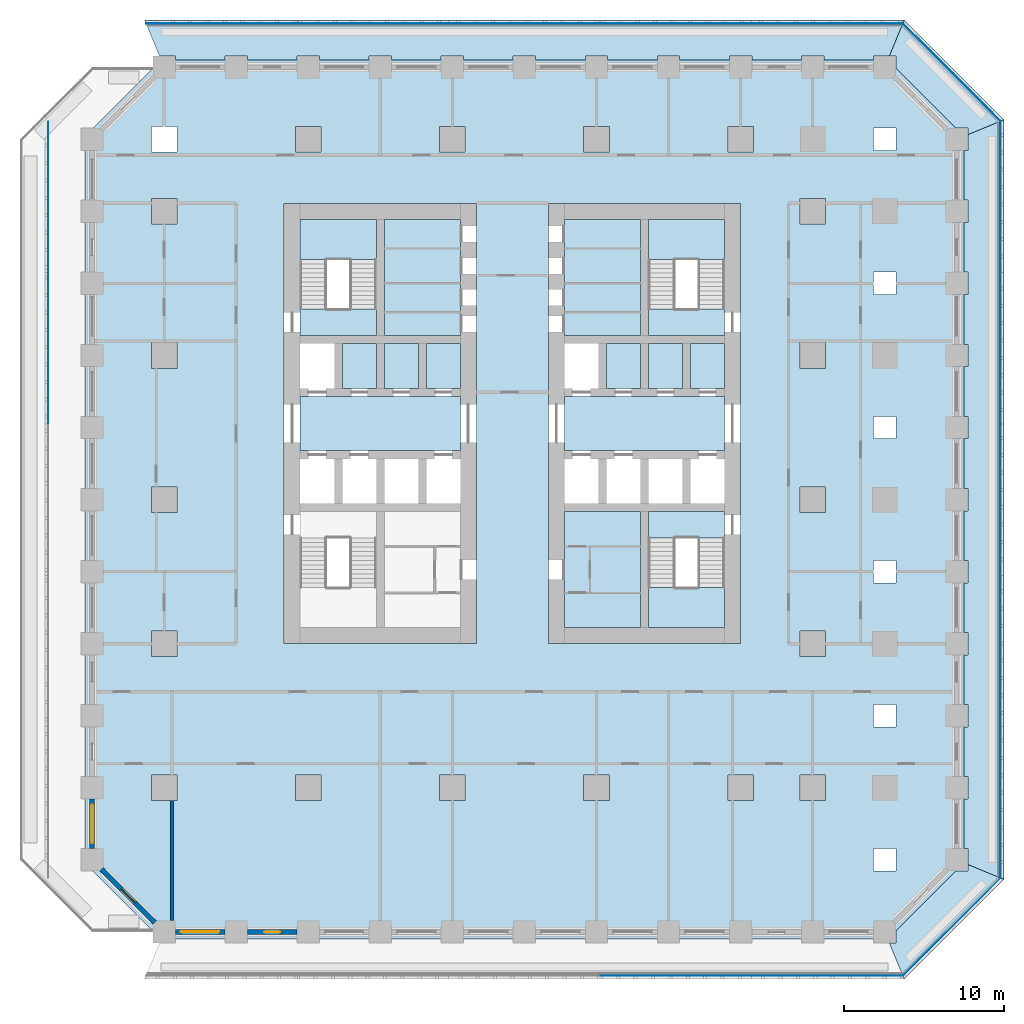
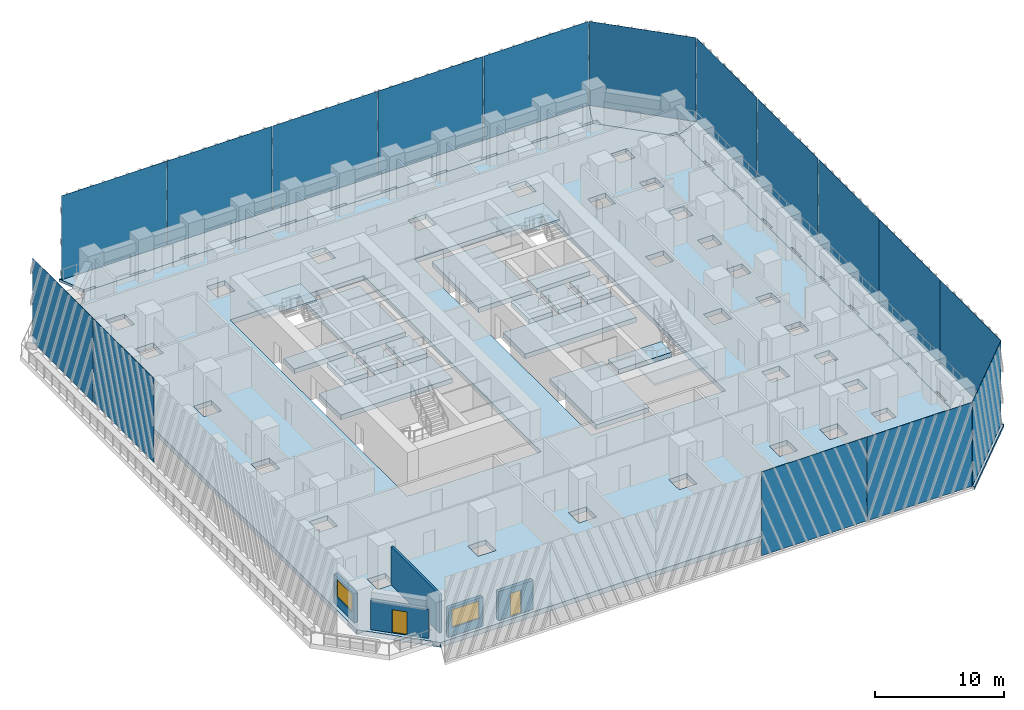
# One storey, part 2 of 15: 22 slabs, 16 plates, 5 walls, 2 doors, 2 windows, 4 openings, 3 elements without a shape of their own.
"""IFC4 building model written with IfcOpenShell, lengths in metres."""

from ifc_helpers import new_model, si_unit, direction, frame, frame_2d, origin, origin_2d, place, context, subcontext, project, spatial, polyline, rectangle, outline, extrude, material, layer, layer_set, type_object, element, fill, aggregate, save


model = new_model("IFC4")

# Units and contexts
model_context = context("Model", 3, precision=1e-05, world=origin(), true_north=direction((0.0, 1.0)))
body_context = subcontext(model_context, "Body", "Model", "MODEL_VIEW")
ifc_project = project(units=[si_unit("LENGTHUNIT", "METRE"), si_unit("AREAUNIT", "SQUARE_METRE"), si_unit("VOLUMEUNIT", "CUBIC_METRE"), si_unit("PLANEANGLEUNIT", "RADIAN"), si_unit("MASSUNIT", "GRAM", prefix="KILO")], contexts=[model_context])

# Site, building, storey
site_placement = place(None, origin())
site = spatial("IfcSite", under=ifc_project, at=site_placement, CompositionType="ELEMENT")
building_placement = place(site_placement, origin())
building = spatial("IfcBuilding", under=site, at=building_placement, Name="Corbel Stack Research Tower", CompositionType="ELEMENT")
storey_placement = place(building_placement, frame((0.0, 0.0, 41.89990234375)))
storey = spatial("IfcBuildingStorey", under=building, at=storey_placement, Name="L09", CompositionType="ELEMENT", Elevation=41.89990234375)

# Plates
ifc_material_1 = material(Name="Fritted glass", Category="glass")
ifc_layer_1 = layer(ifc_material_1, 0.02490234375)
ifc_layer_set_1 = layer_set([ifc_layer_1], Name="Fritted glass")
plate_type = type_object("IfcPlateType", Name="Fritted glass panel 25", PredefinedType="SHEET", material=ifc_layer_set_1)
for number, where, z_axis, x_axis, name in (
    (1, (13.95556640625, -29.737548828125, 0.0), (0.0, 0.0, 1.0), (1.0, 0.0, 0.0), "Fritted glass L09 S4"),
    (2, (23.411376953125, -29.737548828125, 0.0), (0.0, 0.0, 1.0), (1.0, 0.0, 0.0), "Fritted glass L09 S5"),
):
    element("IfcPlate", number, at=place(storey_placement, frame(where, z_axis=z_axis, x_axis=x_axis)), inside=storey, type_object=plate_type, Name=name, PredefinedType="SHEET", context=body_context, shape_type="SweptSolid", body=[
        extrude(rectangle(XDim=9.3955078125, YDim=0.02490234375, at=origin_2d()), origin(), (0.0, 0.0, 1.0), 7.949951171875),
    ])
plate_1_placement = place(storey_placement, frame((31.185791015625, -26.685791015625, 0.0), z_axis=(0.0, 0.0, 1.0), x_axis=(0.707106781187, 0.707106781187, 0.0)))
element("IfcPlate", 3, at=plate_1_placement, inside=storey, type_object=plate_type, Name="Fritted glass L09 SE1", PredefinedType="SHEET", context=body_context, shape_type="SweptSolid", body=[
    extrude(rectangle(XDim=8.58203125, YDim=0.02490234375, at=origin_2d()), origin(), (0.0, 0.0, 1.0), 7.949951171875),
])
for number, where, z_axis, x_axis, name in (
    (4, (34.237548828125, -18.911376953125, 0.0), (0.0, 0.0, 1.0), (0.0, 1.0, 0.0), "Fritted glass L09 E1"),
    (5, (34.237548828125, -9.45556640625, 0.0), (0.0, 0.0, 1.0), (0.0, 1.0, 0.0), "Fritted glass L09 E2"),
    (6, (34.237548828125, 0.0, 0.0), (0.0, 0.0, 1.0), (0.0, 1.0, 0.0), "Fritted glass L09 E3"),
    (7, (34.237548828125, 9.45556640625, 0.0), (0.0, 0.0, 1.0), (0.0, 1.0, 0.0), "Fritted glass L09 E4"),
    (8, (34.237548828125, 18.911376953125, 0.0), (0.0, 0.0, 1.0), (0.0, 1.0, 0.0), "Fritted glass L09 E5"),
):
    element("IfcPlate", number, at=place(storey_placement, frame(where, z_axis=z_axis, x_axis=x_axis)), inside=storey, type_object=plate_type, Name=name, PredefinedType="SHEET", context=body_context, shape_type="SweptSolid", body=[
        extrude(rectangle(XDim=9.3955078125, YDim=0.02490234375, at=origin_2d()), origin(), (0.0, 0.0, 1.0), 7.949951171875),
    ])
plate_2_placement = place(storey_placement, frame((31.185791015625, 26.685791015625, 0.0), z_axis=(0.0, 0.0, 1.0), x_axis=(-0.707106781187, 0.707106781187, 0.0)))
element("IfcPlate", 9, at=plate_2_placement, inside=storey, type_object=plate_type, Name="Fritted glass L09 NE1", PredefinedType="SHEET", context=body_context, shape_type="SweptSolid", body=[
    extrude(rectangle(XDim=8.58203125, YDim=0.02490234375, at=origin_2d()), origin(), (0.0, 0.0, 1.0), 7.949951171875),
])
for number, where, z_axis, x_axis, name in (
    (10, (23.411376953125, 29.737548828125, 0.0), (0.0, 0.0, 1.0), (-1.0, 0.0, 0.0), "Fritted glass L09 N1"),
    (11, (13.95556640625, 29.737548828125, 0.0), (0.0, 0.0, 1.0), (-1.0, 0.0, 0.0), "Fritted glass L09 N2"),
    (12, (4.5, 29.737548828125, 0.0), (0.0, 0.0, 1.0), (-1.0, 0.0, 0.0), "Fritted glass L09 N3"),
    (13, (-4.95556640625, 29.737548828125, 0.0), (0.0, 0.0, 1.0), (-1.0, 0.0, 0.0), "Fritted glass L09 N4"),
    (14, (-14.411376953125, 29.737548828125, 0.0), (0.0, 0.0, 1.0), (-1.0, 0.0, 0.0), "Fritted glass L09 N5"),
    (15, (-25.237548828125, 18.911376953125, 0.0), (0.0, 0.0, 1.0), (0.0, -1.0, 0.0), "Fritted glass L09 W1"),
    (16, (-25.237548828125, 9.45556640625, 0.0), (0.0, 0.0, 1.0), (0.0, -1.0, 0.0), "Fritted glass L09 W2"),
):
    element("IfcPlate", number, at=place(storey_placement, frame(where, z_axis=z_axis, x_axis=x_axis)), inside=storey, type_object=plate_type, Name=name, PredefinedType="SHEET", context=body_context, shape_type="SweptSolid", body=[
        extrude(rectangle(XDim=9.3955078125, YDim=0.02490234375, at=origin_2d()), origin(), (0.0, 0.0, 1.0), 7.949951171875),
    ])

# Slabs
ifc_material_2 = material(Name="Concrete C45/55", Category="concrete")
ifc_layer_2 = layer(ifc_material_2, 0.25)
ifc_layer_set_2 = layer_set([ifc_layer_2], Name="Concrete C45/55")
slab_type_1 = type_object("IfcSlabType", Name="PT balcony slab 250 C45/55", PredefinedType="FLOOR", material=ifc_layer_set_2)
slab_1_placement = place(storey_placement, frame((0.0, 0.0, -0.25)))
element("IfcSlab", 17, at=slab_1_placement, inside=storey, type_object=slab_type_1, Name="Loggia slab L09 SE", PredefinedType="FLOOR", context=body_context, shape_type="SweptSolid", body=[
    extrude(outline(polyline([(32.199951171875, -22.789794921875), (32.199951171875, -23.199951171875), (31.436279296875, -23.199951171875), (27.699951171875, -26.936279296875), (27.699951171875, -27.699951171875), (27.289794921875, -27.699951171875), (28.221923828125, -29.949951171875), (34.449951171875, -23.721923828125), (32.199951171875, -22.789794921875)])), origin(), (0.0, 0.0, 1.0), 0.25),
])
slab_2_placement = place(storey_placement, frame((0.0, 0.0, -0.25)))
element("IfcSlab", 18, at=slab_2_placement, inside=storey, type_object=slab_type_1, Name="Loggia slab L09 E", PredefinedType="FLOOR", context=body_context, shape_type="SweptSolid", body=[
    extrude(outline(polyline([(32.199951171875, 22.789794921875), (32.199951171875, 21.800048828125), (31.949951171875, 21.800048828125), (31.949951171875, 18.699951171875), (32.199951171875, 18.699951171875), (32.199951171875, 17.300048828125), (31.949951171875, 17.300048828125), (31.949951171875, 14.199951171875), (32.199951171875, 14.199951171875), (32.199951171875, 12.800048828125), (31.949951171875, 12.800048828125), (31.949951171875, 9.699951171875), (32.199951171875, 9.699951171875), (32.199951171875, 8.300048828125), (31.949951171875, 8.300048828125), (31.949951171875, 5.199951171875), (32.199951171875, 5.199951171875), (32.199951171875, 3.800048828125), (31.949951171875, 3.800048828125), (31.949951171875, 0.699951171875), (32.199951171875, 0.699951171875), (32.199951171875, -0.699951171875), (31.949951171875, -0.699951171875), (31.949951171875, -3.800048828125), (32.199951171875, -3.800048828125), (32.199951171875, -5.199951171875), (31.949951171875, -5.199951171875), (31.949951171875, -8.300048828125), (32.199951171875, -8.300048828125), (32.199951171875, -9.699951171875), (31.949951171875, -9.699951171875), (31.949951171875, -12.800048828125), (32.199951171875, -12.800048828125), (32.199951171875, -14.199951171875), (31.949951171875, -14.199951171875), (31.949951171875, -17.300048828125), (32.199951171875, -17.300048828125), (32.199951171875, -18.699951171875), (31.949951171875, -18.699951171875), (31.949951171875, -21.800048828125), (32.199951171875, -21.800048828125), (32.199951171875, -22.789794921875), (34.449951171875, -23.721923828125), (34.449951171875, 23.721923828125), (32.199951171875, 22.789794921875)])), origin(), (0.0, 0.0, 1.0), 0.25),
])
slab_3_placement = place(storey_placement, frame((0.0, 0.0, -0.25)))
element("IfcSlab", 19, at=slab_3_placement, inside=storey, type_object=slab_type_1, Name="Loggia slab L09 NE", PredefinedType="FLOOR", context=body_context, shape_type="SweptSolid", body=[
    extrude(outline(polyline([(27.289794921875, 27.699951171875), (27.699951171875, 27.699951171875), (27.699951171875, 26.936279296875), (31.436279296875, 23.199951171875), (32.199951171875, 23.199951171875), (32.199951171875, 22.789794921875), (34.449951171875, 23.721923828125), (28.221923828125, 29.949951171875), (27.289794921875, 27.699951171875)])), origin(), (0.0, 0.0, 1.0), 0.25),
])
slab_4_placement = place(storey_placement, frame((0.0, 0.0, -0.25)))
element("IfcSlab", 20, at=slab_4_placement, inside=storey, type_object=slab_type_1, Name="Loggia slab L09 N", PredefinedType="FLOOR", context=body_context, shape_type="SweptSolid", body=[
    extrude(outline(polyline([(-18.289794921875, 27.699951171875), (-17.300048828125, 27.699951171875), (-17.300048828125, 27.449951171875), (-14.199951171875, 27.449951171875), (-14.199951171875, 27.699951171875), (-12.800048828125, 27.699951171875), (-12.800048828125, 27.449951171875), (-9.699951171875, 27.449951171875), (-9.699951171875, 27.699951171875), (-8.300048828125, 27.699951171875), (-8.300048828125, 27.449951171875), (-5.199951171875, 27.449951171875), (-5.199951171875, 27.699951171875), (-3.800048828125, 27.699951171875), (-3.800048828125, 27.449951171875), (-0.699951171875, 27.449951171875), (-0.699951171875, 27.699951171875), (0.699951171875, 27.699951171875), (0.699951171875, 27.449951171875), (3.800048828125, 27.449951171875), (3.800048828125, 27.699951171875), (5.199951171875, 27.699951171875), (5.199951171875, 27.449951171875), (8.300048828125, 27.449951171875), (8.300048828125, 27.699951171875), (9.699951171875, 27.699951171875), (9.699951171875, 27.449951171875), (12.800048828125, 27.449951171875), (12.800048828125, 27.699951171875), (14.199951171875, 27.699951171875), (14.199951171875, 27.449951171875), (17.300048828125, 27.449951171875), (17.300048828125, 27.699951171875), (18.699951171875, 27.699951171875), (18.699951171875, 27.449951171875), (21.800048828125, 27.449951171875), (21.800048828125, 27.699951171875), (23.199951171875, 27.699951171875), (23.199951171875, 27.449951171875), (26.300048828125, 27.449951171875), (26.300048828125, 27.699951171875), (27.289794921875, 27.699951171875), (28.221923828125, 29.949951171875), (-19.221923828125, 29.949951171875), (-18.289794921875, 27.699951171875)])), origin(), (0.0, 0.0, 1.0), 0.25),
])
ifc_material_3 = material(Name="Concrete C45/55", Category="concrete")
ifc_layer_3 = layer(ifc_material_3, 0.449951171875)
ifc_layer_set_3 = layer_set([ifc_layer_3], Name="Concrete C45/55")
slab_type_2 = type_object("IfcSlabType", Name="PT-450", PredefinedType="FLOOR", material=ifc_layer_set_3)
slab_5_placement = place(storey_placement, frame((0.0, 0.0, -0.449951171875)))
element("IfcSlab", 21, at=slab_5_placement, inside=storey, type_object=slab_type_2, Name="Floor slab L09", PredefinedType="FLOOR", context=body_context, shape_type="SweptSolid", body=[
    extrude(outline(polyline([(-18.186279296875, -27.449951171875), (27.186279296875, -27.449951171875), (31.949951171875, -22.686279296875), (31.949951171875, 22.686279296875), (27.186279296875, 27.449951171875), (-18.186279296875, 27.449951171875), (-22.949951171875, 22.686279296875), (-22.949951171875, -22.686279296875), (-18.186279296875, -27.449951171875)]), holes=[polyline([(26.300048828125, 21.800048828125), (26.300048828125, 23.199951171875), (27.699951171875, 23.199951171875), (27.699951171875, 21.800048828125), (26.300048828125, 21.800048828125)]), polyline([(26.300048828125, -23.199951171875), (26.300048828125, -21.800048828125), (27.699951171875, -21.800048828125), (27.699951171875, -23.199951171875), (26.300048828125, -23.199951171875)]), polyline([(26.300048828125, -18.699951171875), (26.300048828125, -17.300048828125), (27.699951171875, -17.300048828125), (27.699951171875, -18.699951171875), (26.300048828125, -18.699951171875)]), polyline([(26.300048828125, -14.199951171875), (26.300048828125, -12.800048828125), (27.699951171875, -12.800048828125), (27.699951171875, -14.199951171875), (26.300048828125, -14.199951171875)]), polyline([(26.300048828125, -9.699951171875), (26.300048828125, -8.300048828125), (27.699951171875, -8.300048828125), (27.699951171875, -9.699951171875), (26.300048828125, -9.699951171875)]), polyline([(26.300048828125, -5.199951171875), (26.300048828125, -3.800048828125), (27.699951171875, -3.800048828125), (27.699951171875, -5.199951171875), (26.300048828125, -5.199951171875)]), polyline([(26.300048828125, -0.699951171875), (26.300048828125, 0.699951171875), (27.699951171875, 0.699951171875), (27.699951171875, -0.699951171875), (26.300048828125, -0.699951171875)]), polyline([(26.300048828125, 3.800048828125), (26.300048828125, 5.199951171875), (27.699951171875, 5.199951171875), (27.699951171875, 3.800048828125), (26.300048828125, 3.800048828125)]), polyline([(26.300048828125, 8.300048828125), (26.300048828125, 9.699951171875), (27.699951171875, 9.699951171875), (27.699951171875, 8.300048828125), (26.300048828125, 8.300048828125)]), polyline([(26.300048828125, 12.800048828125), (26.300048828125, 14.199951171875), (27.699951171875, 14.199951171875), (27.699951171875, 12.800048828125), (26.300048828125, 12.800048828125)]), polyline([(26.300048828125, 17.300048828125), (26.300048828125, 18.699951171875), (27.699951171875, 18.699951171875), (27.699951171875, 17.300048828125), (26.300048828125, 17.300048828125)]), polyline([(21.699951171875, 17.199951171875), (21.699951171875, 18.800048828125), (23.300048828125, 18.800048828125), (23.300048828125, 17.199951171875), (21.699951171875, 17.199951171875)]), polyline([(21.699951171875, 8.199951171875), (21.699951171875, 9.800048828125), (23.300048828125, 9.800048828125), (23.300048828125, 8.199951171875), (21.699951171875, 8.199951171875)]), polyline([(21.699951171875, -0.800048828125), (21.699951171875, 0.800048828125), (23.300048828125, 0.800048828125), (23.300048828125, -0.800048828125), (21.699951171875, -0.800048828125)]), polyline([(21.699951171875, -9.800048828125), (21.699951171875, -8.199951171875), (23.300048828125, -8.199951171875), (23.300048828125, -9.800048828125), (21.699951171875, -9.800048828125)]), polyline([(21.699951171875, -18.800048828125), (21.699951171875, -17.199951171875), (23.300048828125, -17.199951171875), (23.300048828125, -18.800048828125), (21.699951171875, -18.800048828125)]), polyline([(17.199951171875, 21.699951171875), (17.199951171875, 23.300048828125), (18.800048828125, 23.300048828125), (18.800048828125, 21.699951171875), (17.199951171875, 21.699951171875)]), polyline([(17.199951171875, -18.800048828125), (17.199951171875, -17.199951171875), (18.800048828125, -17.199951171875), (18.800048828125, -18.800048828125), (17.199951171875, -18.800048828125)]), polyline([(6.0, -9.0), (6.0, 18.5), (18.0, 18.5), (18.0, -9.0), (6.0, -9.0)]), polyline([(8.199951171875, 21.699951171875), (8.199951171875, 23.300048828125), (9.800048828125, 23.300048828125), (9.800048828125, 21.699951171875), (8.199951171875, 21.699951171875)]), polyline([(8.199951171875, -18.800048828125), (8.199951171875, -17.199951171875), (9.800048828125, -17.199951171875), (9.800048828125, -18.800048828125), (8.199951171875, -18.800048828125)]), polyline([(-10.5, -9.0), (-10.5, 18.5), (1.5, 18.5), (1.5, -9.0), (-10.5, -9.0)]), polyline([(-0.800048828125, 21.699951171875), (-0.800048828125, 23.300048828125), (0.800048828125, 23.300048828125), (0.800048828125, 21.699951171875), (-0.800048828125, 21.699951171875)]), polyline([(-0.800048828125, -18.800048828125), (-0.800048828125, -17.199951171875), (0.800048828125, -17.199951171875), (0.800048828125, -18.800048828125), (-0.800048828125, -18.800048828125)]), polyline([(-9.800048828125, 21.699951171875), (-9.800048828125, 23.300048828125), (-8.199951171875, 23.300048828125), (-8.199951171875, 21.699951171875), (-9.800048828125, 21.699951171875)]), polyline([(-9.800048828125, -18.800048828125), (-9.800048828125, -17.199951171875), (-8.199951171875, -17.199951171875), (-8.199951171875, -18.800048828125), (-9.800048828125, -18.800048828125)]), polyline([(-18.800048828125, 21.699951171875), (-18.800048828125, 23.300048828125), (-17.199951171875, 23.300048828125), (-17.199951171875, 21.699951171875), (-18.800048828125, 21.699951171875)]), polyline([(-18.800048828125, 17.199951171875), (-18.800048828125, 18.800048828125), (-17.199951171875, 18.800048828125), (-17.199951171875, 17.199951171875), (-18.800048828125, 17.199951171875)]), polyline([(-18.800048828125, 8.199951171875), (-18.800048828125, 9.800048828125), (-17.199951171875, 9.800048828125), (-17.199951171875, 8.199951171875), (-18.800048828125, 8.199951171875)]), polyline([(-18.800048828125, -0.800048828125), (-18.800048828125, 0.800048828125), (-17.199951171875, 0.800048828125), (-17.199951171875, -0.800048828125), (-18.800048828125, -0.800048828125)]), polyline([(-18.800048828125, -9.800048828125), (-18.800048828125, -8.199951171875), (-17.199951171875, -8.199951171875), (-17.199951171875, -9.800048828125), (-18.800048828125, -9.800048828125)]), polyline([(-18.800048828125, -18.800048828125), (-18.800048828125, -17.199951171875), (-17.199951171875, -17.199951171875), (-17.199951171875, -18.800048828125), (-18.800048828125, -18.800048828125)])]), origin(), (0.0, 0.0, 1.0), 0.449951171875),
])
slab_6_placement = place(storey_placement, frame((0.0, 0.0, -0.449951171875)))
element("IfcSlab", 22, at=slab_6_placement, inside=storey, type_object=slab_type_2, Name="West core floor L09", PredefinedType="FLOOR", context=body_context, shape_type="SweptSolid", body=[
    extrude(outline(polyline([(-9.5, 6.449951171875), (-9.5, 3.050048828125), (0.5, 3.050048828125), (0.5, 6.449951171875), (-9.5, 6.449951171875)])), origin(), (0.0, 0.0, 1.0), 0.449951171875),
])
slab_7_placement = place(storey_placement, frame((0.0, 0.0, -0.449951171875)))
element("IfcSlab", 23, at=slab_7_placement, inside=storey, type_object=slab_type_2, Name="West core floor L09", PredefinedType="FLOOR", context=body_context, shape_type="SweptSolid", body=[
    extrude(outline(polyline([(-6.875, 6.949951171875), (-4.75, 6.949951171875), (-4.75, 9.75), (-6.875, 9.75), (-6.875, 6.949951171875)])), origin(), (0.0, 0.0, 1.0), 0.449951171875),
])
slab_8_placement = place(storey_placement, frame((0.0, 0.0, -0.449951171875)))
element("IfcSlab", 24, at=slab_8_placement, inside=storey, type_object=slab_type_2, Name="West core floor L09", PredefinedType="FLOOR", context=body_context, shape_type="SweptSolid", body=[
    extrude(outline(polyline([(-2.125, 6.949951171875), (-2.125, 9.75), (-4.25, 9.75), (-4.25, 6.949951171875), (-2.125, 6.949951171875)])), origin(), (0.0, 0.0, 1.0), 0.449951171875),
])
slab_9_placement = place(storey_placement, frame((0.0, 0.0, -0.449951171875)))
element("IfcSlab", 25, at=slab_9_placement, inside=storey, type_object=slab_type_2, Name="West core floor L09", PredefinedType="FLOOR", context=body_context, shape_type="SweptSolid", body=[
    extrude(outline(polyline([(-4.25, 17.5), (-4.25, 10.25), (0.5, 10.25), (0.5, 17.5), (-4.25, 17.5)])), origin(), (0.0, 0.0, 1.0), 0.449951171875),
])
slab_10_placement = place(storey_placement, frame((0.0, 0.0, -0.449951171875)))
element("IfcSlab", 26, at=slab_10_placement, inside=storey, type_object=slab_type_2, Name="West core floor L09", PredefinedType="FLOOR", context=body_context, shape_type="SweptSolid", body=[
    extrude(outline(polyline([(0.5, 6.949951171875), (0.5, 9.75), (-1.625, 9.75), (-1.625, 6.949951171875), (0.5, 6.949951171875)])), origin(), (0.0, 0.0, 1.0), 0.449951171875),
])
slab_11_placement = place(storey_placement, frame((0.0, 0.0, -0.449951171875)))
element("IfcSlab", 27, at=slab_11_placement, inside=storey, type_object=slab_type_2, Name="East core floor L09", PredefinedType="FLOOR", context=body_context, shape_type="SweptSolid", body=[
    extrude(outline(polyline([(7.0, -0.75), (7.0, -8.0), (11.75, -8.0), (11.75, -0.75), (7.0, -0.75)])), origin(), (0.0, 0.0, 1.0), 0.449951171875),
])
slab_12_placement = place(storey_placement, frame((0.0, 0.0, -0.449951171875)))
element("IfcSlab", 28, at=slab_12_placement, inside=storey, type_object=slab_type_2, Name="East core floor L09", PredefinedType="FLOOR", context=body_context, shape_type="SweptSolid", body=[
    extrude(outline(polyline([(7.0, 6.449951171875), (7.0, 3.050048828125), (17.0, 3.050048828125), (17.0, 6.449951171875), (7.0, 6.449951171875)])), origin(), (0.0, 0.0, 1.0), 0.449951171875),
])
slab_13_placement = place(storey_placement, frame((0.0, 0.0, -0.449951171875)))
element("IfcSlab", 29, at=slab_13_placement, inside=storey, type_object=slab_type_2, Name="East core floor L09", PredefinedType="FLOOR", context=body_context, shape_type="SweptSolid", body=[
    extrude(outline(polyline([(7.0, 17.5), (7.0, 10.25), (11.75, 10.25), (11.75, 17.5), (7.0, 17.5)])), origin(), (0.0, 0.0, 1.0), 0.449951171875),
])
slab_14_placement = place(storey_placement, frame((0.0, 0.0, -0.449951171875)))
element("IfcSlab", 30, at=slab_14_placement, inside=storey, type_object=slab_type_2, Name="East core floor L09", PredefinedType="FLOOR", context=body_context, shape_type="SweptSolid", body=[
    extrude(outline(polyline([(9.625, 6.949951171875), (11.75, 6.949951171875), (11.75, 9.75), (9.625, 9.75), (9.625, 6.949951171875)])), origin(), (0.0, 0.0, 1.0), 0.449951171875),
])
slab_15_placement = place(storey_placement, frame((0.0, 0.0, -0.449951171875)))
element("IfcSlab", 31, at=slab_15_placement, inside=storey, type_object=slab_type_2, Name="East core floor L09", PredefinedType="FLOOR", context=body_context, shape_type="SweptSolid", body=[
    extrude(outline(polyline([(14.375, 6.949951171875), (14.375, 9.75), (12.25, 9.75), (12.25, 6.949951171875), (14.375, 6.949951171875)])), origin(), (0.0, 0.0, 1.0), 0.449951171875),
])
slab_16_placement = place(storey_placement, frame((0.0, 0.0, -0.449951171875)))
element("IfcSlab", 32, at=slab_16_placement, inside=storey, type_object=slab_type_2, Name="East core floor L09", PredefinedType="FLOOR", context=body_context, shape_type="SweptSolid", body=[
    extrude(outline(polyline([(17.0, 6.949951171875), (17.0, 9.75), (14.875, 9.75), (14.875, 6.949951171875), (17.0, 6.949951171875)])), origin(), (0.0, 0.0, 1.0), 0.449951171875),
])
slab_17_placement = place(storey_placement, frame((0.0, 0.0, -0.449951171875)))
element("IfcSlab", 33, at=slab_17_placement, inside=storey, type_object=slab_type_2, Name="Stair floor landing ST-W2", PredefinedType="FLOOR", context=body_context, shape_type="SweptSolid", body=[
    extrude(outline(polyline([(-9.5, 10.25), (-4.75, 10.25), (-4.75, 11.89990234375), (-9.5, 11.89990234375), (-9.5, 10.25)])), origin(), (0.0, 0.0, 1.0), 0.449951171875),
])
slab_18_placement = place(storey_placement, frame((0.0, 0.0, -0.449951171875)))
element("IfcSlab", 34, at=slab_18_placement, inside=storey, type_object=slab_type_2, Name="Stair floor landing ST-E1", PredefinedType="FLOOR", context=body_context, shape_type="SweptSolid", body=[
    extrude(outline(polyline([(12.25, -2.39990234375), (17.0, -2.39990234375), (17.0, -0.75), (12.25, -0.75), (12.25, -2.39990234375)])), origin(), (0.0, 0.0, 1.0), 0.449951171875),
])
slab_19_placement = place(storey_placement, frame((0.0, 0.0, -0.449951171875)))
element("IfcSlab", 35, at=slab_19_placement, inside=storey, type_object=slab_type_2, Name="Stair floor landing ST-E2", PredefinedType="FLOOR", context=body_context, shape_type="SweptSolid", body=[
    extrude(outline(polyline([(12.25, 10.25), (17.0, 10.25), (17.0, 11.89990234375), (12.25, 11.89990234375), (12.25, 10.25)])), origin(), (0.0, 0.0, 1.0), 0.449951171875),
])

# Stair, slab
ifc_material_4 = material(Name="Concrete C40/50", Category="concrete")
stair_type = type_object("IfcStairType", Name="Exit stair 24 risers", PredefinedType="HALF_TURN_STAIR", material=ifc_material_4)
stair_1_placement = place(storey_placement, origin())
stair_1 = element("IfcStair", 36, at=stair_1_placement, inside=storey, type_object=stair_type, Name="L09 Exit stair ST-W2", PredefinedType="HALF_TURN_STAIR")
ifc_material_5 = material(Name="Concrete C40/50", Category="concrete")
ifc_layer_4 = layer(ifc_material_5, 0.199951171875)
ifc_layer_set_4 = layer_set([ifc_layer_4], Name="Concrete C40/50")
slab_type_3 = type_object("IfcSlabType", Name="Stair landing 200 C40/50", PredefinedType="LANDING", material=ifc_layer_set_4)
slab_20_placement = place(storey_placement, frame((0.0, 0.0, 1.85009765625)))
slab_20 = element("IfcSlab", 37, at=slab_20_placement, type_object=slab_type_3, Name="ST-W2 landing 1", PredefinedType="LANDING", context=body_context, shape_type="SweptSolid", body=[
    extrude(outline(polyline([(-9.5, 14.97998046875), (-9.5, 17.5), (-4.75, 17.5), (-4.75, 14.97998046875), (-9.5, 14.97998046875)])), origin(), (0.0, 0.0, 1.0), 0.199951171875),
])
aggregate(stair_1, [slab_20])

stair_2_placement = place(storey_placement, origin())
stair_2 = element("IfcStair", 38, at=stair_2_placement, inside=storey, type_object=stair_type, Name="L09 Exit stair ST-E1", PredefinedType="HALF_TURN_STAIR")
slab_21_placement = place(storey_placement, frame((0.0, 0.0, 1.85009765625)))
slab_21 = element("IfcSlab", 39, at=slab_21_placement, type_object=slab_type_3, Name="ST-E1 landing 1", PredefinedType="LANDING", context=body_context, shape_type="SweptSolid", body=[
    extrude(outline(polyline([(12.25, -8.0), (12.25, -5.47998046875), (17.0, -5.47998046875), (17.0, -8.0), (12.25, -8.0)])), origin(), (0.0, 0.0, 1.0), 0.199951171875),
])
aggregate(stair_2, [slab_21])

stair_3_placement = place(storey_placement, origin())
stair_3 = element("IfcStair", 40, at=stair_3_placement, inside=storey, type_object=stair_type, Name="L09 Exit stair ST-E2", PredefinedType="HALF_TURN_STAIR")
slab_22_placement = place(storey_placement, frame((0.0, 0.0, 1.85009765625)))
slab_22 = element("IfcSlab", 41, at=slab_22_placement, type_object=slab_type_3, Name="ST-E2 landing 1", PredefinedType="LANDING", context=body_context, shape_type="SweptSolid", body=[
    extrude(outline(polyline([(12.25, 14.97998046875), (12.25, 17.5), (17.0, 17.5), (17.0, 14.97998046875), (12.25, 14.97998046875)])), origin(), (0.0, 0.0, 1.0), 0.199951171875),
])
aggregate(stair_3, [slab_22])

# Wall
ifc_material_6 = material(Name="Fire-rated gypsum board partition on steel studs", Category="steel")
ifc_layer_5 = layer(ifc_material_6, 0.199951171875)
ifc_layer_set_5 = layer_set([ifc_layer_5], Name="Fire-rated gypsum board partition on steel studs")
wall_type_1 = type_object("IfcWallType", Name="Fire-rated partition 200 EI 60", PredefinedType="PARTITIONING", material=ifc_layer_set_5)
wall_1_placement = place(storey_placement, frame((-17.5, -26.300048828125, 0.0), z_axis=(0.0, 0.0, 1.0), x_axis=(0.0, 1.0, 0.0)))
element("IfcWall", 42, at=wall_1_placement, inside=storey, type_object=wall_type_1, Name="Partition L09-006", PredefinedType="PARTITIONING", context=body_context, shape_type="SweptSolid", body=[
    extrude(rectangle(XDim=7.5, YDim=0.199951171875, at=frame_2d((3.75, 0.0))), origin(), (0.0, 0.0, 1.0), 3.650146484375),
])

# Wall, opening, window
ifc_material_7 = material(Name="Concrete C45/55", Category="concrete")
ifc_layer_6 = layer(ifc_material_7, 0.300048828125)
ifc_layer_set_6 = layer_set([ifc_layer_6], Name="Concrete C45/55")
wall_type_2 = type_object("IfcWallType", Name="Terracotta-faced concrete wall 300", PredefinedType="SOLIDWALL", material=ifc_layer_set_6)
wall_2_placement = place(storey_placement, frame((-14.199951171875, -27.0, 0.0), z_axis=(0.0, 0.0, 1.0), x_axis=(-1.0, 0.0, 0.0)))
wall_2 = element("IfcWall", 43, at=wall_2_placement, inside=storey, type_object=wall_type_2, Name="Facade wall L09 S01", PredefinedType="SOLIDWALL", context=body_context, shape_type="SweptSolid", body=[
    extrude(rectangle(XDim=3.10009765625, YDim=0.300048828125, at=frame_2d((1.550048828125, 0.0))), origin(), (0.0, 0.0, 1.0), 2.75),
])
opening_1_placement = place(wall_2_placement, frame((0.35009765625, 0.0, 0.800048828125)))
opening_1 = element("IfcOpeningElement", 44, at=opening_1_placement, cuts=wall_2, Name="Opening W1", PredefinedType="OPENING", context=body_context, shape_type="SweptSolid", body=[
    extrude(rectangle(XDim=2.39990234375, YDim=1.699951171875, at=frame_2d((1.199951171875, 0.85009765625))), frame((0.0, 0.159912109375, 0.0), z_axis=(0.0, -1.0, 0.0), x_axis=(1.0, 0.0, 0.0)), (0.0, 0.0, 1.0), 0.320068359375),
])
ifc_material_8 = material(Name="Aluminium frame, clear double glazing", Category="aluminium")
window_type = type_object("IfcWindowType", Name="Window W1 2400 x 1700", PartitioningType="SINGLE_PANEL", PredefinedType="WINDOW", material=ifc_material_8)
window_1_placement = place(opening_1_placement, origin())
window_1 = element("IfcWindow", 45, at=window_1_placement, inside=storey, type_object=window_type, Name="Window W1 L09 S01", OverallHeight=1.699951171875, OverallWidth=2.39990234375, PartitioningType="SINGLE_PANEL", PredefinedType="WINDOW", context=body_context, shape_type="SweptSolid", body=[
    extrude(rectangle(XDim=2.39990234375, YDim=1.699951171875, at=frame_2d((1.199951171875, 0.85009765625))), frame((0.0, 0.030029296875, 0.0), z_axis=(0.0, -1.0, 0.0), x_axis=(1.0, 0.0, 0.0)), (0.0, 0.0, 1.0), 0.06005859375),
])
fill(opening_1, window_1)

# Wall, opening, door
wall_3_placement = place(storey_placement, frame((-9.699951171875, -27.0, 0.0), z_axis=(0.0, 0.0, 1.0), x_axis=(-1.0, 0.0, 0.0)))
wall_3 = element("IfcWall", 46, at=wall_3_placement, inside=storey, type_object=wall_type_2, Name="Facade wall L09 S02", PredefinedType="SOLIDWALL", context=body_context, shape_type="SweptSolid", body=[
    extrude(rectangle(XDim=3.10009765625, YDim=0.300048828125, at=frame_2d((1.550048828125, 0.0))), origin(), (0.0, 0.0, 1.0), 2.75),
])
opening_2_placement = place(wall_3_placement, frame((1.050048828125, 0.0, 0.0)))
opening_2 = element("IfcOpeningElement", 47, at=opening_2_placement, cuts=wall_3, Name="Opening L09-B01", PredefinedType="OPENING", context=body_context, shape_type="SweptSolid", body=[
    extrude(rectangle(XDim=1.0, YDim=2.199951171875, at=frame_2d((0.5, 1.10009765625))), frame((0.0, 0.159912109375, 0.0), z_axis=(0.0, -1.0, 0.0), x_axis=(1.0, 0.0, 0.0)), (0.0, 0.0, 1.0), 0.320068359375),
])
ifc_material_9 = material(Name="Aluminium frame, clear double glazing", Category="aluminium")
door_type_1 = type_object("IfcDoorType", Name="Balcony door BD1 1000 x 2200", OperationType="NOTDEFINED", PredefinedType="DOOR", material=ifc_material_9)
door_1_placement = place(opening_2_placement, origin())
door_1 = element("IfcDoor", 48, at=door_1_placement, inside=storey, type_object=door_type_1, Name="Balcony door L09-B01", OperationType="SINGLE_SWING_LEFT", OverallHeight=2.199951171875, OverallWidth=1.0, PredefinedType="DOOR", context=body_context, shape_type="SweptSolid", body=[
    extrude(rectangle(XDim=1.0, YDim=2.199951171875, at=frame_2d((0.5, 1.10009765625))), frame((0.0, 0.02490234375, 0.0), z_axis=(0.0, -1.0, 0.0), x_axis=(1.0, 0.0, 0.0)), (0.0, 0.0, 1.0), 0.050048828125),
])
fill(opening_2, door_1)

# Wall, opening, window
wall_4_placement = place(storey_placement, frame((-22.5, -21.800048828125, 0.0), z_axis=(0.0, 0.0, 1.0), x_axis=(0.0, 1.0, 0.0)))
wall_4 = element("IfcWall", 49, at=wall_4_placement, inside=storey, type_object=wall_type_2, Name="Facade wall L09 W10", PredefinedType="SOLIDWALL", context=body_context, shape_type="SweptSolid", body=[
    extrude(rectangle(XDim=3.10009765625, YDim=0.300048828125, at=frame_2d((1.550048828125, 0.0))), origin(), (0.0, 0.0, 1.0), 2.75),
])
opening_3_placement = place(wall_4_placement, frame((0.35009765625, 0.0, 0.800048828125)))
opening_3 = element("IfcOpeningElement", 50, at=opening_3_placement, cuts=wall_4, Name="Opening W1", PredefinedType="OPENING", context=body_context, shape_type="SweptSolid", body=[
    extrude(rectangle(XDim=2.39990234375, YDim=1.699951171875, at=frame_2d((1.199951171875, 0.85009765625))), frame((0.0, 0.159912109375, 0.0), z_axis=(0.0, -1.0, 0.0), x_axis=(1.0, 0.0, 0.0)), (0.0, 0.0, 1.0), 0.320068359375),
])
window_2_placement = place(opening_3_placement, origin())
window_2 = element("IfcWindow", 51, at=window_2_placement, inside=storey, type_object=window_type, Name="Window W1 L09 W10", OverallHeight=1.699951171875, OverallWidth=2.39990234375, PartitioningType="SINGLE_PANEL", PredefinedType="WINDOW", context=body_context, shape_type="SweptSolid", body=[
    extrude(rectangle(XDim=2.39990234375, YDim=1.699951171875, at=frame_2d((1.199951171875, 0.85009765625))), frame((0.0, 0.030029296875, 0.0), z_axis=(0.0, -1.0, 0.0), x_axis=(1.0, 0.0, 0.0)), (0.0, 0.0, 1.0), 0.06005859375),
])
fill(opening_3, window_2)

# Wall, opening, door
wall_5_placement = place(storey_placement, frame((-18.593994140625, -26.406005859375, 0.0), z_axis=(0.0, 0.0, 1.0), x_axis=(-0.707106781187, 0.707106781187, 0.0)))
wall_5 = element("IfcWall", 52, at=wall_5_placement, inside=storey, type_object=wall_type_2, Name="Facade wall L09 SW01", PredefinedType="SOLIDWALL", context=body_context, shape_type="SweptSolid", body=[
    extrude(rectangle(XDim=4.683837890625, YDim=0.300048828125, at=frame_2d((2.341796875, 0.0))), origin(), (0.0, 0.0, 1.0), 2.75),
])
opening_4_placement = place(wall_5_placement, frame((1.741943359375, 0.0, 0.0)))
opening_4 = element("IfcOpeningElement", 53, at=opening_4_placement, cuts=wall_5, Name="Opening L09-B12", PredefinedType="OPENING", context=body_context, shape_type="SweptSolid", body=[
    extrude(rectangle(XDim=1.199951171875, YDim=2.199951171875, at=frame_2d((0.60009765625, 1.10009765625))), frame((0.0, 0.159912109375, 0.0), z_axis=(0.0, -1.0, 0.0), x_axis=(1.0, 0.0, 0.0)), (0.0, 0.0, 1.0), 0.320068359375),
])
ifc_material_10 = material(Name="Aluminium frame, clear double glazing", Category="aluminium")
door_type_2 = type_object("IfcDoorType", Name="Balcony door BD2 1200 x 2200", OperationType="NOTDEFINED", PredefinedType="DOOR", material=ifc_material_10)
door_2_placement = place(opening_4_placement, origin())
door_2 = element("IfcDoor", 54, at=door_2_placement, inside=storey, type_object=door_type_2, Name="Balcony door L09-B12", OperationType="SINGLE_SWING_RIGHT", OverallHeight=2.199951171875, OverallWidth=1.199951171875, PredefinedType="DOOR", context=body_context, shape_type="SweptSolid", body=[
    extrude(rectangle(XDim=1.199951171875, YDim=2.199951171875, at=frame_2d((0.60009765625, 1.10009765625))), frame((0.0, 0.02490234375, 0.0), z_axis=(0.0, -1.0, 0.0), x_axis=(1.0, 0.0, 0.0)), (0.0, 0.0, 1.0), 0.050048828125),
])
fill(opening_4, door_2)

save(model, "model.ifc")
